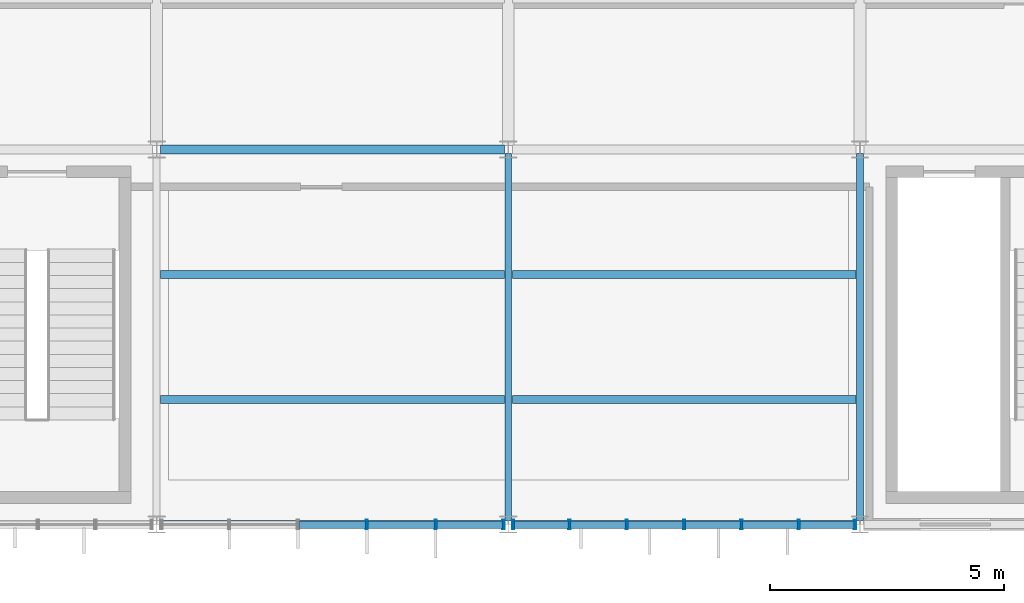
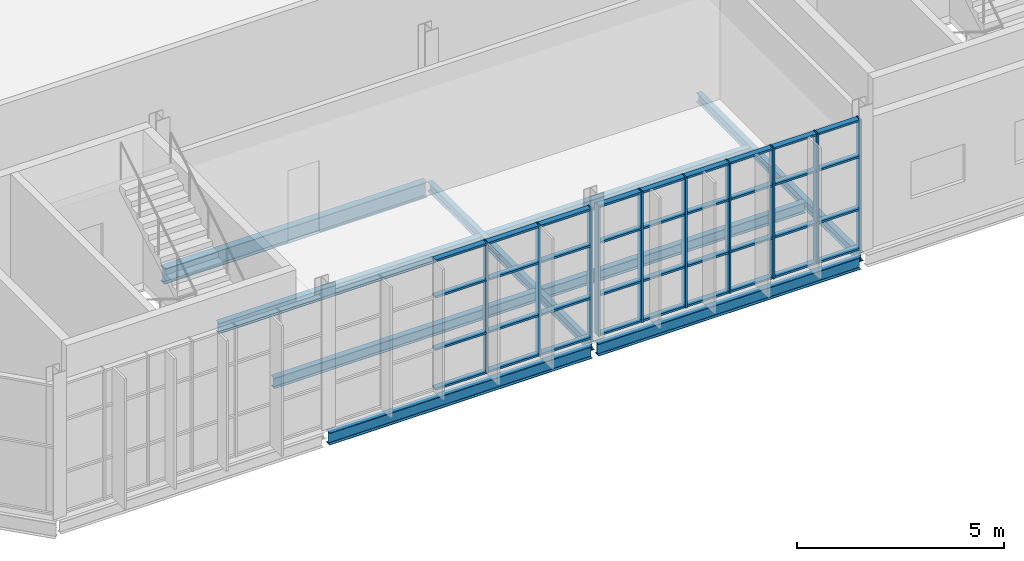
# One storey, part 20 of 324: 46 members, 9 beams, 2 elements without a shape of their own.
"""IFC4 building model written with IfcOpenShell, lengths in metres."""

from ifc_helpers import new_model, si_unit, direction, frame, origin, origin_2d, place, context, subcontext, project, spatial, hollow_rectangle, i_section, extrude, material, layer, layer_set, material_profile, profile_set, type_object, element, aggregate, save


model = new_model("IFC4")

# Units and contexts
model_context = context("Model", 3, precision=1e-05, world=origin(), true_north=direction((0.0, 1.0)))
body_context = subcontext(model_context, "Body", "Model", "MODEL_VIEW")
ifc_project = project(units=[si_unit("LENGTHUNIT", "METRE"), si_unit("AREAUNIT", "SQUARE_METRE"), si_unit("VOLUMEUNIT", "CUBIC_METRE"), si_unit("PLANEANGLEUNIT", "RADIAN"), si_unit("MASSUNIT", "GRAM", prefix="KILO")], contexts=[model_context])

# Site, building, storey
site_placement = place(None, origin())
site = spatial("IfcSite", under=ifc_project, at=site_placement, CompositionType="ELEMENT")
building_placement = place(site_placement, origin())
building = spatial("IfcBuilding", under=site, at=building_placement, Name="Solvenia Promenade Tram Depot", CompositionType="ELEMENT")
storey_placement = place(building_placement, frame((0.0, 0.0, 4.5)))
storey = spatial("IfcBuildingStorey", under=building, at=storey_placement, Name="L01", CompositionType="ELEMENT", Elevation=4.5)

# Beam
ifc_material_1 = material(Name="Structural steel ASTM A992 Gr. 50", Category="steel")
ifc_material_profile_1 = material_profile(ifc_material_1, i_section(OverallWidth=0.19091796875, OverallDepth=0.4599609375, WebThickness=0.010009765625, FlangeThickness=0.01611328125, FilletRadius=0.012939453125, at=origin_2d()), Name="W460x82", Category="steel")
ifc_profile_set_1 = profile_set([ifc_material_profile_1], Name="Structural steel ASTM A992 Gr. 50")
beam_type_1 = type_object("IfcBeamType", Name="Beam-W460x82", PredefinedType="BEAM", material=ifc_profile_set_1)
beam_placement = place(storey_placement, frame((15.0849609375, 8.0, -0.449951171875), z_axis=(1.0, 0.0, 0.0), x_axis=(0.0, 1.0, 0.0)))
element("IfcBeam", 1, at=beam_placement, inside=storey, type_object=beam_type_1, Name="Primary Girder BM-L01-0314", PredefinedType="BEAM", context=body_context, shape_type="SweptSolid", body=[
    extrude(i_section(OverallWidth=0.19091796875, OverallDepth=0.4599609375, WebThickness=0.010009765625, FlangeThickness=0.01611328125, FilletRadius=0.012939453125, at=origin_2d()), origin(), (0.0, 0.0, 1.0), 7.330078125),
])

# Curtain wall, members
ifc_material_2 = material(Name="Anodized aluminium AW-6063 T6", Category="aluminium")
ifc_layer_1 = layer(ifc_material_2, 0.179931640625, Name="Anodized aluminium AW-6063 T6", Category="aluminium")
ifc_layer_set_1 = layer_set([ifc_layer_1], Name="Anodized aluminium AW-6063 T6")
curtain_wall_type_1 = type_object("IfcCurtainWallType", Name="CW-Solar-1500", PredefinedType="NOTDEFINED", material=ifc_layer_set_1)
curtain_wall_1_placement = place(storey_placement, origin())
curtain_wall_1 = element("IfcCurtainWall", 2, at=curtain_wall_1_placement, inside=storey, type_object=curtain_wall_type_1, Name="Curtain Wall CW-V4S-L01-02", PredefinedType="NOTDEFINED")
ifc_material_profile_2 = material_profile(ifc_material_2, hollow_rectangle(XDim=0.199951171875, YDim=0.048095703125, WallThickness=0.00390625, at=origin_2d()), Name="ALU-M3", Category="aluminium")
ifc_profile_set_2 = profile_set([ifc_material_profile_2], Name="Anodized aluminium AW-6063 T6")
member_type_1 = type_object("IfcMemberType", Name="CWM-Mullion-3", PredefinedType="MULLION", material=ifc_profile_set_2)
member_1_placement = place(storey_placement, frame((19.48388671875, 0.0, 0.0), z_axis=(0.0, 0.0, 1.0), x_axis=(0.0, 1.0, 0.0)))
member_1 = element("IfcMember", 3, at=member_1_placement, type_object=member_type_1, Name="CW-7 mullion 4", PredefinedType="MULLION", context=body_context, shape_type="SweptSolid", body=[
    extrude(hollow_rectangle(XDim=0.199951171875, YDim=0.048095703125, WallThickness=0.00390625, at=origin_2d()), origin(), (0.0, 0.0, 1.0), 3.85009765625),
])
member_2_placement = place(storey_placement, frame((20.951904296875, 0.0, 0.0), z_axis=(0.0, 0.0, 1.0), x_axis=(0.0, 1.0, 0.0)))
member_2 = element("IfcMember", 4, at=member_2_placement, type_object=member_type_1, Name="CW-7 mullion 5", PredefinedType="MULLION", context=body_context, shape_type="SweptSolid", body=[
    extrude(hollow_rectangle(XDim=0.199951171875, YDim=0.048095703125, WallThickness=0.00390625, at=origin_2d()), origin(), (0.0, 0.0, 1.0), 3.85009765625),
])
member_3_placement = place(storey_placement, frame((22.39599609375, 0.0, 0.0), z_axis=(0.0, 0.0, 1.0), x_axis=(0.0, 1.0, 0.0)))
member_3 = element("IfcMember", 5, at=member_3_placement, type_object=member_type_1, Name="CW-7 mullion 6", PredefinedType="MULLION", context=body_context, shape_type="SweptSolid", body=[
    extrude(hollow_rectangle(XDim=0.199951171875, YDim=0.048095703125, WallThickness=0.00390625, at=origin_2d()), origin(), (0.0, 0.0, 1.0), 3.85009765625),
])

ifc_layer_2 = layer(ifc_material_2, 0.179931640625, Name="Anodized aluminium AW-6063 T6", Category="aluminium")
ifc_layer_set_2 = layer_set([ifc_layer_2], Name="Anodized aluminium AW-6063 T6")
curtain_wall_type_2 = type_object("IfcCurtainWallType", Name="CW-Solar-1250", PredefinedType="NOTDEFINED", material=ifc_layer_set_2)
curtain_wall_2_placement = place(storey_placement, origin())
curtain_wall_2 = element("IfcCurtainWall", 6, at=curtain_wall_2_placement, inside=storey, type_object=curtain_wall_type_2, Name="Curtain Wall CW-V4S-L01-03", PredefinedType="NOTDEFINED")
member_4_placement = place(storey_placement, frame((22.60400390625, 0.0, 0.0), z_axis=(0.0, 0.0, 1.0), x_axis=(0.0, 1.0, 0.0)))
member_4 = element("IfcMember", 7, at=member_4_placement, type_object=member_type_1, Name="CW-6 mullion 1", PredefinedType="MULLION", context=body_context, shape_type="SweptSolid", body=[
    extrude(hollow_rectangle(XDim=0.199951171875, YDim=0.048095703125, WallThickness=0.00390625, at=origin_2d()), origin(), (0.0, 0.0, 1.0), 3.85009765625),
])
member_5_placement = place(storey_placement, frame((23.80322265625, 0.0, 0.0), z_axis=(0.0, 0.0, 1.0), x_axis=(0.0, 1.0, 0.0)))
member_5 = element("IfcMember", 8, at=member_5_placement, type_object=member_type_1, Name="CW-6 mullion 2", PredefinedType="MULLION", context=body_context, shape_type="SweptSolid", body=[
    extrude(hollow_rectangle(XDim=0.199951171875, YDim=0.048095703125, WallThickness=0.00390625, at=origin_2d()), origin(), (0.0, 0.0, 1.0), 3.85009765625),
])
member_6_placement = place(storey_placement, frame((25.026611328125, 0.0, 0.0), z_axis=(0.0, 0.0, 1.0), x_axis=(0.0, 1.0, 0.0)))
member_6 = element("IfcMember", 9, at=member_6_placement, type_object=member_type_1, Name="CW-6 mullion 3", PredefinedType="MULLION", context=body_context, shape_type="SweptSolid", body=[
    extrude(hollow_rectangle(XDim=0.199951171875, YDim=0.048095703125, WallThickness=0.00390625, at=origin_2d()), origin(), (0.0, 0.0, 1.0), 3.85009765625),
])
member_7_placement = place(storey_placement, frame((26.25, 0.0, 0.0), z_axis=(0.0, 0.0, 1.0), x_axis=(0.0, 1.0, 0.0)))
member_7 = element("IfcMember", 10, at=member_7_placement, type_object=member_type_1, Name="CW-6 mullion 4", PredefinedType="MULLION", context=body_context, shape_type="SweptSolid", body=[
    extrude(hollow_rectangle(XDim=0.199951171875, YDim=0.048095703125, WallThickness=0.00390625, at=origin_2d()), origin(), (0.0, 0.0, 1.0), 3.85009765625),
])
member_8_placement = place(storey_placement, frame((27.473388671875, 0.0, 0.0), z_axis=(0.0, 0.0, 1.0), x_axis=(0.0, 1.0, 0.0)))
member_8 = element("IfcMember", 11, at=member_8_placement, type_object=member_type_1, Name="CW-6 mullion 5", PredefinedType="MULLION", context=body_context, shape_type="SweptSolid", body=[
    extrude(hollow_rectangle(XDim=0.199951171875, YDim=0.048095703125, WallThickness=0.00390625, at=origin_2d()), origin(), (0.0, 0.0, 1.0), 3.85009765625),
])
member_9_placement = place(storey_placement, frame((28.69677734375, 0.0, 0.0), z_axis=(0.0, 0.0, 1.0), x_axis=(0.0, 1.0, 0.0)))
member_9 = element("IfcMember", 12, at=member_9_placement, type_object=member_type_1, Name="CW-6 mullion 6", PredefinedType="MULLION", context=body_context, shape_type="SweptSolid", body=[
    extrude(hollow_rectangle(XDim=0.199951171875, YDim=0.048095703125, WallThickness=0.00390625, at=origin_2d()), origin(), (0.0, 0.0, 1.0), 3.85009765625),
])
member_10_placement = place(storey_placement, frame((29.89599609375, 0.0, 0.0), z_axis=(0.0, 0.0, 1.0), x_axis=(0.0, 1.0, 0.0)))
member_10 = element("IfcMember", 13, at=member_10_placement, type_object=member_type_1, Name="CW-6 mullion 7", PredefinedType="MULLION", context=body_context, shape_type="SweptSolid", body=[
    extrude(hollow_rectangle(XDim=0.199951171875, YDim=0.048095703125, WallThickness=0.00390625, at=origin_2d()), origin(), (0.0, 0.0, 1.0), 3.85009765625),
])

# Member
ifc_material_profile_3 = material_profile(ifc_material_2, hollow_rectangle(XDim=0.159912109375, YDim=0.05810546875, WallThickness=0.00390625, at=origin_2d()), Name="ALU-T3", Category="aluminium")
ifc_profile_set_3 = profile_set([ifc_material_profile_3], Name="Anodized aluminium AW-6063 T6")
member_type_2 = type_object("IfcMemberType", Name="CWT-Transom-3", PredefinedType="USERDEFINED", material=ifc_profile_set_3)
member_11_placement = place(storey_placement, frame((18.0400390625, 0.0, 0.029052734375), z_axis=(1.0, 0.0, 0.0), x_axis=(0.0, 1.0, 0.0)))
member_11 = element("IfcMember", 14, at=member_11_placement, type_object=member_type_2, Name="CW-7 transom 3.1", ObjectType="TRANSOM", PredefinedType="USERDEFINED", context=body_context, shape_type="SweptSolid", body=[
    extrude(hollow_rectangle(XDim=0.159912109375, YDim=0.05810546875, WallThickness=0.00390625, at=origin_2d()), origin(), (0.0, 0.0, 1.0), 1.419921875),
])

member_12_placement = place(storey_placement, frame((18.0400390625, 0.0, 1.199951171875), z_axis=(1.0, 0.0, 0.0), x_axis=(0.0, 1.0, 0.0)))
member_12 = element("IfcMember", 15, at=member_12_placement, type_object=member_type_2, Name="CW-7 transom 3.2", ObjectType="TRANSOM", PredefinedType="USERDEFINED", context=body_context, shape_type="SweptSolid", body=[
    extrude(hollow_rectangle(XDim=0.159912109375, YDim=0.05810546875, WallThickness=0.00390625, at=origin_2d()), origin(), (0.0, 0.0, 1.0), 1.419921875),
])

member_13_placement = place(storey_placement, frame((18.0400390625, 0.0, 2.75), z_axis=(1.0, 0.0, 0.0), x_axis=(0.0, 1.0, 0.0)))
member_13 = element("IfcMember", 16, at=member_13_placement, type_object=member_type_2, Name="CW-7 transom 3.3", ObjectType="TRANSOM", PredefinedType="USERDEFINED", context=body_context, shape_type="SweptSolid", body=[
    extrude(hollow_rectangle(XDim=0.159912109375, YDim=0.05810546875, WallThickness=0.00390625, at=origin_2d()), origin(), (0.0, 0.0, 1.0), 1.419921875),
])

member_14_placement = place(storey_placement, frame((18.0400390625, 0.0, 3.821044921875), z_axis=(1.0, 0.0, 0.0), x_axis=(0.0, 1.0, 0.0)))
member_14 = element("IfcMember", 17, at=member_14_placement, type_object=member_type_2, Name="CW-7 transom 3.4", ObjectType="TRANSOM", PredefinedType="USERDEFINED", context=body_context, shape_type="SweptSolid", body=[
    extrude(hollow_rectangle(XDim=0.159912109375, YDim=0.05810546875, WallThickness=0.00390625, at=origin_2d()), origin(), (0.0, 0.0, 1.0), 1.419921875),
])

member_15_placement = place(storey_placement, frame((19.508056640625, 0.0, 0.029052734375), z_axis=(1.0, 0.0, 0.0), x_axis=(0.0, 1.0, 0.0)))
member_15 = element("IfcMember", 18, at=member_15_placement, type_object=member_type_2, Name="CW-7 transom 4.1", ObjectType="TRANSOM", PredefinedType="USERDEFINED", context=body_context, shape_type="SweptSolid", body=[
    extrude(hollow_rectangle(XDim=0.159912109375, YDim=0.05810546875, WallThickness=0.00390625, at=origin_2d()), origin(), (0.0, 0.0, 1.0), 1.419921875),
])

member_16_placement = place(storey_placement, frame((19.508056640625, 0.0, 1.199951171875), z_axis=(1.0, 0.0, 0.0), x_axis=(0.0, 1.0, 0.0)))
member_16 = element("IfcMember", 19, at=member_16_placement, type_object=member_type_2, Name="CW-7 transom 4.2", ObjectType="TRANSOM", PredefinedType="USERDEFINED", context=body_context, shape_type="SweptSolid", body=[
    extrude(hollow_rectangle(XDim=0.159912109375, YDim=0.05810546875, WallThickness=0.00390625, at=origin_2d()), origin(), (0.0, 0.0, 1.0), 1.419921875),
])

member_17_placement = place(storey_placement, frame((19.508056640625, 0.0, 2.75), z_axis=(1.0, 0.0, 0.0), x_axis=(0.0, 1.0, 0.0)))
member_17 = element("IfcMember", 20, at=member_17_placement, type_object=member_type_2, Name="CW-7 transom 4.3", ObjectType="TRANSOM", PredefinedType="USERDEFINED", context=body_context, shape_type="SweptSolid", body=[
    extrude(hollow_rectangle(XDim=0.159912109375, YDim=0.05810546875, WallThickness=0.00390625, at=origin_2d()), origin(), (0.0, 0.0, 1.0), 1.419921875),
])

member_18_placement = place(storey_placement, frame((19.508056640625, 0.0, 3.821044921875), z_axis=(1.0, 0.0, 0.0), x_axis=(0.0, 1.0, 0.0)))
member_18 = element("IfcMember", 21, at=member_18_placement, type_object=member_type_2, Name="CW-7 transom 4.4", ObjectType="TRANSOM", PredefinedType="USERDEFINED", context=body_context, shape_type="SweptSolid", body=[
    extrude(hollow_rectangle(XDim=0.159912109375, YDim=0.05810546875, WallThickness=0.00390625, at=origin_2d()), origin(), (0.0, 0.0, 1.0), 1.419921875),
])

member_19_placement = place(storey_placement, frame((20.97607421875, 0.0, 0.029052734375), z_axis=(1.0, 0.0, 0.0), x_axis=(0.0, 1.0, 0.0)))
member_19 = element("IfcMember", 22, at=member_19_placement, type_object=member_type_2, Name="CW-7 transom 5.1", ObjectType="TRANSOM", PredefinedType="USERDEFINED", context=body_context, shape_type="SweptSolid", body=[
    extrude(hollow_rectangle(XDim=0.159912109375, YDim=0.05810546875, WallThickness=0.00390625, at=origin_2d()), origin(), (0.0, 0.0, 1.0), 1.39599609375),
])

member_20_placement = place(storey_placement, frame((20.97607421875, 0.0, 1.199951171875), z_axis=(1.0, 0.0, 0.0), x_axis=(0.0, 1.0, 0.0)))
member_20 = element("IfcMember", 23, at=member_20_placement, type_object=member_type_2, Name="CW-7 transom 5.2", ObjectType="TRANSOM", PredefinedType="USERDEFINED", context=body_context, shape_type="SweptSolid", body=[
    extrude(hollow_rectangle(XDim=0.159912109375, YDim=0.05810546875, WallThickness=0.00390625, at=origin_2d()), origin(), (0.0, 0.0, 1.0), 1.39599609375),
])

member_21_placement = place(storey_placement, frame((20.97607421875, 0.0, 2.75), z_axis=(1.0, 0.0, 0.0), x_axis=(0.0, 1.0, 0.0)))
member_21 = element("IfcMember", 24, at=member_21_placement, type_object=member_type_2, Name="CW-7 transom 5.3", ObjectType="TRANSOM", PredefinedType="USERDEFINED", context=body_context, shape_type="SweptSolid", body=[
    extrude(hollow_rectangle(XDim=0.159912109375, YDim=0.05810546875, WallThickness=0.00390625, at=origin_2d()), origin(), (0.0, 0.0, 1.0), 1.39599609375),
])

member_22_placement = place(storey_placement, frame((20.97607421875, 0.0, 3.821044921875), z_axis=(1.0, 0.0, 0.0), x_axis=(0.0, 1.0, 0.0)))
member_22 = element("IfcMember", 25, at=member_22_placement, type_object=member_type_2, Name="CW-7 transom 5.4", ObjectType="TRANSOM", PredefinedType="USERDEFINED", context=body_context, shape_type="SweptSolid", body=[
    extrude(hollow_rectangle(XDim=0.159912109375, YDim=0.05810546875, WallThickness=0.00390625, at=origin_2d()), origin(), (0.0, 0.0, 1.0), 1.39599609375),
])

aggregate(curtain_wall_1, [member_1, member_2, member_3, member_11, member_12, member_13, member_14, member_15, member_16, member_17, member_18, member_19, member_20, member_21, member_22])

member_23_placement = place(storey_placement, frame((22.6279296875, 0.0, 0.029052734375), z_axis=(1.0, 0.0, 0.0), x_axis=(0.0, 1.0, 0.0)))
member_23 = element("IfcMember", 26, at=member_23_placement, type_object=member_type_2, Name="CW-6 transom 1.1", ObjectType="TRANSOM", PredefinedType="USERDEFINED", context=body_context, shape_type="SweptSolid", body=[
    extrude(hollow_rectangle(XDim=0.159912109375, YDim=0.05810546875, WallThickness=0.00390625, at=origin_2d()), origin(), (0.0, 0.0, 1.0), 1.1513671875),
])

member_24_placement = place(storey_placement, frame((22.6279296875, 0.0, 1.199951171875), z_axis=(1.0, 0.0, 0.0), x_axis=(0.0, 1.0, 0.0)))
member_24 = element("IfcMember", 27, at=member_24_placement, type_object=member_type_2, Name="CW-6 transom 1.2", ObjectType="TRANSOM", PredefinedType="USERDEFINED", context=body_context, shape_type="SweptSolid", body=[
    extrude(hollow_rectangle(XDim=0.159912109375, YDim=0.05810546875, WallThickness=0.00390625, at=origin_2d()), origin(), (0.0, 0.0, 1.0), 1.1513671875),
])

member_25_placement = place(storey_placement, frame((22.6279296875, 0.0, 2.75), z_axis=(1.0, 0.0, 0.0), x_axis=(0.0, 1.0, 0.0)))
member_25 = element("IfcMember", 28, at=member_25_placement, type_object=member_type_2, Name="CW-6 transom 1.3", ObjectType="TRANSOM", PredefinedType="USERDEFINED", context=body_context, shape_type="SweptSolid", body=[
    extrude(hollow_rectangle(XDim=0.159912109375, YDim=0.05810546875, WallThickness=0.00390625, at=origin_2d()), origin(), (0.0, 0.0, 1.0), 1.1513671875),
])

member_26_placement = place(storey_placement, frame((22.6279296875, 0.0, 3.821044921875), z_axis=(1.0, 0.0, 0.0), x_axis=(0.0, 1.0, 0.0)))
member_26 = element("IfcMember", 29, at=member_26_placement, type_object=member_type_2, Name="CW-6 transom 1.4", ObjectType="TRANSOM", PredefinedType="USERDEFINED", context=body_context, shape_type="SweptSolid", body=[
    extrude(hollow_rectangle(XDim=0.159912109375, YDim=0.05810546875, WallThickness=0.00390625, at=origin_2d()), origin(), (0.0, 0.0, 1.0), 1.1513671875),
])

member_27_placement = place(storey_placement, frame((23.827392578125, 0.0, 0.029052734375), z_axis=(1.0, 0.0, 0.0), x_axis=(0.0, 1.0, 0.0)))
member_27 = element("IfcMember", 30, at=member_27_placement, type_object=member_type_2, Name="CW-6 transom 2.1", ObjectType="TRANSOM", PredefinedType="USERDEFINED", context=body_context, shape_type="SweptSolid", body=[
    extrude(hollow_rectangle(XDim=0.159912109375, YDim=0.05810546875, WallThickness=0.00390625, at=origin_2d()), origin(), (0.0, 0.0, 1.0), 1.17529296875),
])

member_28_placement = place(storey_placement, frame((23.827392578125, 0.0, 1.199951171875), z_axis=(1.0, 0.0, 0.0), x_axis=(0.0, 1.0, 0.0)))
member_28 = element("IfcMember", 31, at=member_28_placement, type_object=member_type_2, Name="CW-6 transom 2.2", ObjectType="TRANSOM", PredefinedType="USERDEFINED", context=body_context, shape_type="SweptSolid", body=[
    extrude(hollow_rectangle(XDim=0.159912109375, YDim=0.05810546875, WallThickness=0.00390625, at=origin_2d()), origin(), (0.0, 0.0, 1.0), 1.17529296875),
])

member_29_placement = place(storey_placement, frame((23.827392578125, 0.0, 2.75), z_axis=(1.0, 0.0, 0.0), x_axis=(0.0, 1.0, 0.0)))
member_29 = element("IfcMember", 32, at=member_29_placement, type_object=member_type_2, Name="CW-6 transom 2.3", ObjectType="TRANSOM", PredefinedType="USERDEFINED", context=body_context, shape_type="SweptSolid", body=[
    extrude(hollow_rectangle(XDim=0.159912109375, YDim=0.05810546875, WallThickness=0.00390625, at=origin_2d()), origin(), (0.0, 0.0, 1.0), 1.17529296875),
])

member_30_placement = place(storey_placement, frame((23.827392578125, 0.0, 3.821044921875), z_axis=(1.0, 0.0, 0.0), x_axis=(0.0, 1.0, 0.0)))
member_30 = element("IfcMember", 33, at=member_30_placement, type_object=member_type_2, Name="CW-6 transom 2.4", ObjectType="TRANSOM", PredefinedType="USERDEFINED", context=body_context, shape_type="SweptSolid", body=[
    extrude(hollow_rectangle(XDim=0.159912109375, YDim=0.05810546875, WallThickness=0.00390625, at=origin_2d()), origin(), (0.0, 0.0, 1.0), 1.17529296875),
])

member_31_placement = place(storey_placement, frame((25.05078125, 0.0, 0.029052734375), z_axis=(1.0, 0.0, 0.0), x_axis=(0.0, 1.0, 0.0)))
member_31 = element("IfcMember", 34, at=member_31_placement, type_object=member_type_2, Name="CW-6 transom 3.1", ObjectType="TRANSOM", PredefinedType="USERDEFINED", context=body_context, shape_type="SweptSolid", body=[
    extrude(hollow_rectangle(XDim=0.159912109375, YDim=0.05810546875, WallThickness=0.00390625, at=origin_2d()), origin(), (0.0, 0.0, 1.0), 1.17529296875),
])

member_32_placement = place(storey_placement, frame((25.05078125, 0.0, 1.199951171875), z_axis=(1.0, 0.0, 0.0), x_axis=(0.0, 1.0, 0.0)))
member_32 = element("IfcMember", 35, at=member_32_placement, type_object=member_type_2, Name="CW-6 transom 3.2", ObjectType="TRANSOM", PredefinedType="USERDEFINED", context=body_context, shape_type="SweptSolid", body=[
    extrude(hollow_rectangle(XDim=0.159912109375, YDim=0.05810546875, WallThickness=0.00390625, at=origin_2d()), origin(), (0.0, 0.0, 1.0), 1.17529296875),
])

member_33_placement = place(storey_placement, frame((25.05078125, 0.0, 2.75), z_axis=(1.0, 0.0, 0.0), x_axis=(0.0, 1.0, 0.0)))
member_33 = element("IfcMember", 36, at=member_33_placement, type_object=member_type_2, Name="CW-6 transom 3.3", ObjectType="TRANSOM", PredefinedType="USERDEFINED", context=body_context, shape_type="SweptSolid", body=[
    extrude(hollow_rectangle(XDim=0.159912109375, YDim=0.05810546875, WallThickness=0.00390625, at=origin_2d()), origin(), (0.0, 0.0, 1.0), 1.17529296875),
])

member_34_placement = place(storey_placement, frame((25.05078125, 0.0, 3.821044921875), z_axis=(1.0, 0.0, 0.0), x_axis=(0.0, 1.0, 0.0)))
member_34 = element("IfcMember", 37, at=member_34_placement, type_object=member_type_2, Name="CW-6 transom 3.4", ObjectType="TRANSOM", PredefinedType="USERDEFINED", context=body_context, shape_type="SweptSolid", body=[
    extrude(hollow_rectangle(XDim=0.159912109375, YDim=0.05810546875, WallThickness=0.00390625, at=origin_2d()), origin(), (0.0, 0.0, 1.0), 1.17529296875),
])

member_35_placement = place(storey_placement, frame((26.27392578125, 0.0, 0.029052734375), z_axis=(1.0, 0.0, 0.0), x_axis=(0.0, 1.0, 0.0)))
member_35 = element("IfcMember", 38, at=member_35_placement, type_object=member_type_2, Name="CW-6 transom 4.1", ObjectType="TRANSOM", PredefinedType="USERDEFINED", context=body_context, shape_type="SweptSolid", body=[
    extrude(hollow_rectangle(XDim=0.159912109375, YDim=0.05810546875, WallThickness=0.00390625, at=origin_2d()), origin(), (0.0, 0.0, 1.0), 1.17529296875),
])

member_36_placement = place(storey_placement, frame((26.27392578125, 0.0, 1.199951171875), z_axis=(1.0, 0.0, 0.0), x_axis=(0.0, 1.0, 0.0)))
member_36 = element("IfcMember", 39, at=member_36_placement, type_object=member_type_2, Name="CW-6 transom 4.2", ObjectType="TRANSOM", PredefinedType="USERDEFINED", context=body_context, shape_type="SweptSolid", body=[
    extrude(hollow_rectangle(XDim=0.159912109375, YDim=0.05810546875, WallThickness=0.00390625, at=origin_2d()), origin(), (0.0, 0.0, 1.0), 1.17529296875),
])

member_37_placement = place(storey_placement, frame((26.27392578125, 0.0, 2.75), z_axis=(1.0, 0.0, 0.0), x_axis=(0.0, 1.0, 0.0)))
member_37 = element("IfcMember", 40, at=member_37_placement, type_object=member_type_2, Name="CW-6 transom 4.3", ObjectType="TRANSOM", PredefinedType="USERDEFINED", context=body_context, shape_type="SweptSolid", body=[
    extrude(hollow_rectangle(XDim=0.159912109375, YDim=0.05810546875, WallThickness=0.00390625, at=origin_2d()), origin(), (0.0, 0.0, 1.0), 1.17529296875),
])

member_38_placement = place(storey_placement, frame((26.27392578125, 0.0, 3.821044921875), z_axis=(1.0, 0.0, 0.0), x_axis=(0.0, 1.0, 0.0)))
member_38 = element("IfcMember", 41, at=member_38_placement, type_object=member_type_2, Name="CW-6 transom 4.4", ObjectType="TRANSOM", PredefinedType="USERDEFINED", context=body_context, shape_type="SweptSolid", body=[
    extrude(hollow_rectangle(XDim=0.159912109375, YDim=0.05810546875, WallThickness=0.00390625, at=origin_2d()), origin(), (0.0, 0.0, 1.0), 1.17529296875),
])

member_39_placement = place(storey_placement, frame((27.497314453125, 0.0, 0.029052734375), z_axis=(1.0, 0.0, 0.0), x_axis=(0.0, 1.0, 0.0)))
member_39 = element("IfcMember", 42, at=member_39_placement, type_object=member_type_2, Name="CW-6 transom 5.1", ObjectType="TRANSOM", PredefinedType="USERDEFINED", context=body_context, shape_type="SweptSolid", body=[
    extrude(hollow_rectangle(XDim=0.159912109375, YDim=0.05810546875, WallThickness=0.00390625, at=origin_2d()), origin(), (0.0, 0.0, 1.0), 1.17529296875),
])

member_40_placement = place(storey_placement, frame((27.497314453125, 0.0, 1.199951171875), z_axis=(1.0, 0.0, 0.0), x_axis=(0.0, 1.0, 0.0)))
member_40 = element("IfcMember", 43, at=member_40_placement, type_object=member_type_2, Name="CW-6 transom 5.2", ObjectType="TRANSOM", PredefinedType="USERDEFINED", context=body_context, shape_type="SweptSolid", body=[
    extrude(hollow_rectangle(XDim=0.159912109375, YDim=0.05810546875, WallThickness=0.00390625, at=origin_2d()), origin(), (0.0, 0.0, 1.0), 1.17529296875),
])

member_41_placement = place(storey_placement, frame((27.497314453125, 0.0, 2.75), z_axis=(1.0, 0.0, 0.0), x_axis=(0.0, 1.0, 0.0)))
member_41 = element("IfcMember", 44, at=member_41_placement, type_object=member_type_2, Name="CW-6 transom 5.3", ObjectType="TRANSOM", PredefinedType="USERDEFINED", context=body_context, shape_type="SweptSolid", body=[
    extrude(hollow_rectangle(XDim=0.159912109375, YDim=0.05810546875, WallThickness=0.00390625, at=origin_2d()), origin(), (0.0, 0.0, 1.0), 1.17529296875),
])

member_42_placement = place(storey_placement, frame((27.497314453125, 0.0, 3.821044921875), z_axis=(1.0, 0.0, 0.0), x_axis=(0.0, 1.0, 0.0)))
member_42 = element("IfcMember", 45, at=member_42_placement, type_object=member_type_2, Name="CW-6 transom 5.4", ObjectType="TRANSOM", PredefinedType="USERDEFINED", context=body_context, shape_type="SweptSolid", body=[
    extrude(hollow_rectangle(XDim=0.159912109375, YDim=0.05810546875, WallThickness=0.00390625, at=origin_2d()), origin(), (0.0, 0.0, 1.0), 1.17529296875),
])

member_43_placement = place(storey_placement, frame((28.720703125, 0.0, 0.029052734375), z_axis=(1.0, 0.0, 0.0), x_axis=(0.0, 1.0, 0.0)))
member_43 = element("IfcMember", 46, at=member_43_placement, type_object=member_type_2, Name="CW-6 transom 6.1", ObjectType="TRANSOM", PredefinedType="USERDEFINED", context=body_context, shape_type="SweptSolid", body=[
    extrude(hollow_rectangle(XDim=0.159912109375, YDim=0.05810546875, WallThickness=0.00390625, at=origin_2d()), origin(), (0.0, 0.0, 1.0), 1.1513671875),
])

member_44_placement = place(storey_placement, frame((28.720703125, 0.0, 1.199951171875), z_axis=(1.0, 0.0, 0.0), x_axis=(0.0, 1.0, 0.0)))
member_44 = element("IfcMember", 47, at=member_44_placement, type_object=member_type_2, Name="CW-6 transom 6.2", ObjectType="TRANSOM", PredefinedType="USERDEFINED", context=body_context, shape_type="SweptSolid", body=[
    extrude(hollow_rectangle(XDim=0.159912109375, YDim=0.05810546875, WallThickness=0.00390625, at=origin_2d()), origin(), (0.0, 0.0, 1.0), 1.1513671875),
])

member_45_placement = place(storey_placement, frame((28.720703125, 0.0, 2.75), z_axis=(1.0, 0.0, 0.0), x_axis=(0.0, 1.0, 0.0)))
member_45 = element("IfcMember", 48, at=member_45_placement, type_object=member_type_2, Name="CW-6 transom 6.3", ObjectType="TRANSOM", PredefinedType="USERDEFINED", context=body_context, shape_type="SweptSolid", body=[
    extrude(hollow_rectangle(XDim=0.159912109375, YDim=0.05810546875, WallThickness=0.00390625, at=origin_2d()), origin(), (0.0, 0.0, 1.0), 1.1513671875),
])

member_46_placement = place(storey_placement, frame((28.720703125, 0.0, 3.821044921875), z_axis=(1.0, 0.0, 0.0), x_axis=(0.0, 1.0, 0.0)))
member_46 = element("IfcMember", 49, at=member_46_placement, type_object=member_type_2, Name="CW-6 transom 6.4", ObjectType="TRANSOM", PredefinedType="USERDEFINED", context=body_context, shape_type="SweptSolid", body=[
    extrude(hollow_rectangle(XDim=0.159912109375, YDim=0.05810546875, WallThickness=0.00390625, at=origin_2d()), origin(), (0.0, 0.0, 1.0), 1.1513671875),
])

aggregate(curtain_wall_2, [member_4, member_5, member_6, member_7, member_8, member_9, member_10, member_23, member_24, member_25, member_26, member_27, member_28, member_29, member_30, member_31, member_32, member_33, member_34, member_35, member_36, member_37, member_38, member_39, member_40, member_41, member_42, member_43, member_44, member_45, member_46])

# Beams
ifc_material_profile_4 = material_profile(ifc_material_1, i_section(OverallWidth=0.14697265625, OverallDepth=0.261962890625, WebThickness=0.006591796875, FlangeThickness=0.01123046875, FilletRadius=0.010009765625, at=origin_2d()), Name="W250x39", Category="steel")
ifc_profile_set_4 = profile_set([ifc_material_profile_4], Name="Structural steel ASTM A992 Gr. 50")
beam_type_2 = type_object("IfcBeamType", Name="Joist-W250x39", PredefinedType="JOIST", material=ifc_profile_set_4)
for number, where, z_axis, x_axis, name in (
    (50, (22.5, 0.0849609375, -0.35107421875), (0.0, 1.0, 0.0), (-1.0, 0.0, 0.0), "Transverse Girder BM-L01-0335"),
    (51, (30.0, 0.0849609375, -0.35107421875), (0.0, 1.0, 0.0), (-1.0, 0.0, 0.0), "Transverse Girder BM-L01-0337"),
):
    element("IfcBeam", number, at=place(storey_placement, frame(where, z_axis=z_axis, x_axis=x_axis)), inside=storey, type_object=beam_type_2, Name=name, PredefinedType="JOIST", context=body_context, shape_type="SweptSolid", body=[
        extrude(i_section(OverallWidth=0.14697265625, OverallDepth=0.261962890625, WebThickness=0.006591796875, FlangeThickness=0.01123046875, FilletRadius=0.010009765625, at=origin_2d()), origin(), (0.0, 0.0, 1.0), 7.830078125),
    ])
ifc_material_profile_5 = material_profile(ifc_material_1, i_section(OverallWidth=0.166015625, OverallDepth=0.31298828125, WebThickness=0.006591796875, FlangeThickness=0.01123046875, FilletRadius=0.010009765625, at=origin_2d()), Name="W310x45", Category="steel")
ifc_profile_set_5 = profile_set([ifc_material_profile_5], Name="Structural steel ASTM A992 Gr. 50")
beam_type_3 = type_object("IfcBeamType", Name="Joist-W310x45", PredefinedType="JOIST", material=ifc_profile_set_5)
for number, where, z_axis, x_axis, name in (
    (52, (15.0849609375, 2.666748046875, -0.37646484375), (1.0, 0.0, 0.0), (0.0, 1.0, 0.0), "Secondary Floor Joist BM-L01-0364"),
    (53, (15.0849609375, 5.333251953125, -0.37646484375), (1.0, 0.0, 0.0), (0.0, 1.0, 0.0), "Secondary Floor Joist BM-L01-0365"),
    (54, (22.5849609375, 2.666748046875, -0.37646484375), (1.0, 0.0, 0.0), (0.0, 1.0, 0.0), "Secondary Floor Joist BM-L01-0370"),
    (55, (22.5849609375, 5.333251953125, -0.37646484375), (1.0, 0.0, 0.0), (0.0, 1.0, 0.0), "Secondary Floor Joist BM-L01-0371"),
):
    element("IfcBeam", number, at=place(storey_placement, frame(where, z_axis=z_axis, x_axis=x_axis)), inside=storey, type_object=beam_type_3, Name=name, PredefinedType="JOIST", context=body_context, shape_type="SweptSolid", body=[
        extrude(i_section(OverallWidth=0.166015625, OverallDepth=0.31298828125, WebThickness=0.006591796875, FlangeThickness=0.01123046875, FilletRadius=0.010009765625, at=origin_2d()), origin(), (0.0, 0.0, 1.0), 7.330078125),
    ])
ifc_material_profile_6 = material_profile(ifc_material_1, i_section(OverallWidth=0.172119140625, OverallDepth=0.35791015625, WebThickness=0.0078125, FlangeThickness=0.01318359375, FilletRadius=0.010986328125, at=origin_2d()), Name="W360x57", Category="steel")
ifc_profile_set_6 = profile_set([ifc_material_profile_6], Name="Structural steel ASTM A992 Gr. 50")
beam_type_4 = type_object("IfcBeamType", Name="Spandrel-W360x57", PredefinedType="SPANDREL", material=ifc_profile_set_6)
for number, where, z_axis, x_axis, name in (
    (56, (15.0849609375, 0.0, -0.39892578125), (1.0, 0.0, 0.0), (0.0, 1.0, 0.0), "Perimeter Spandrel BM-L01-0303"),
    (57, (22.5849609375, 0.0, -0.39892578125), (1.0, 0.0, 0.0), (0.0, 1.0, 0.0), "Perimeter Spandrel BM-L01-0304"),
):
    element("IfcBeam", number, at=place(storey_placement, frame(where, z_axis=z_axis, x_axis=x_axis)), inside=storey, type_object=beam_type_4, Name=name, PredefinedType="SPANDREL", context=body_context, shape_type="SweptSolid", body=[
        extrude(i_section(OverallWidth=0.172119140625, OverallDepth=0.35791015625, WebThickness=0.0078125, FlangeThickness=0.01318359375, FilletRadius=0.010986328125, at=origin_2d()), origin(), (0.0, 0.0, 1.0), 7.330078125),
    ])

save(model, "model.ifc")
